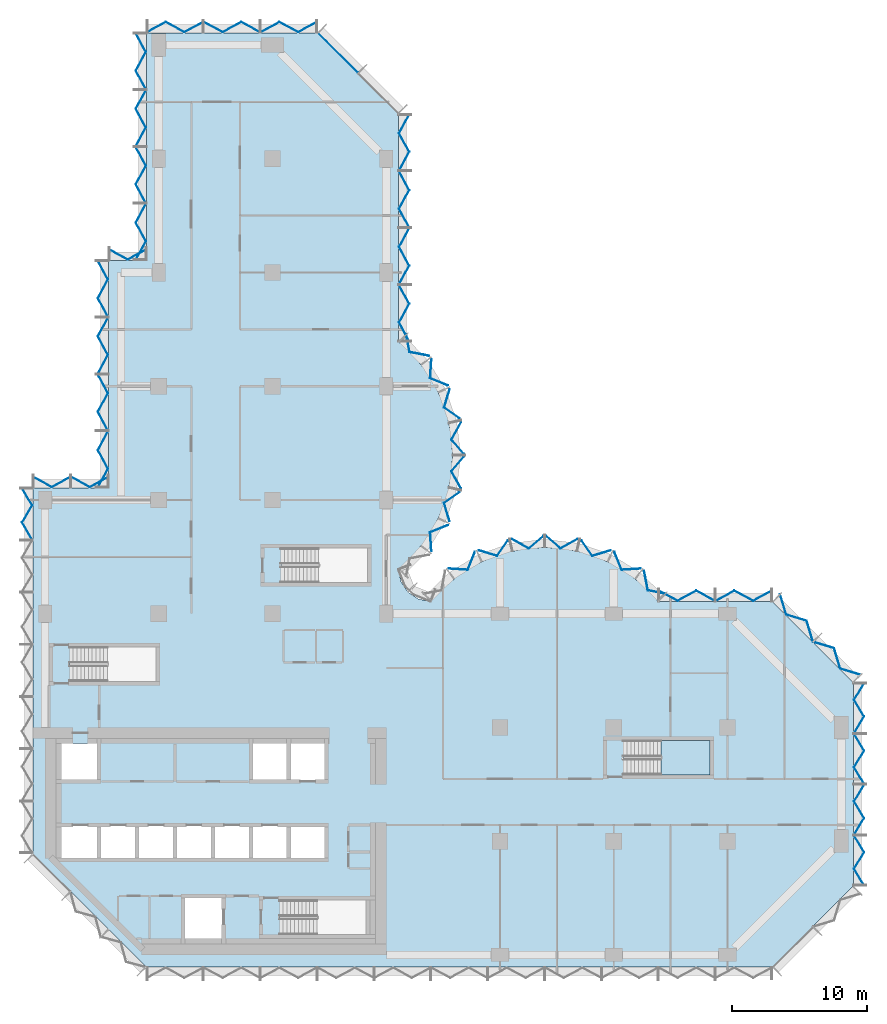
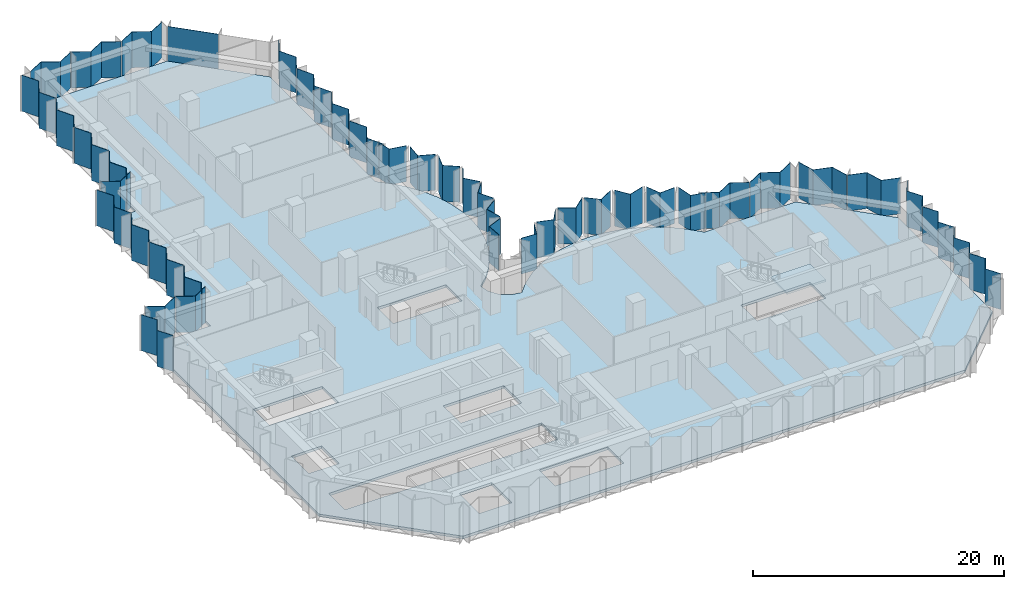
# One storey, part 4 of 11: 42 plates, 2 slabs, 14 elements without a shape of their own.
"""IFC4 building model written with IfcOpenShell, lengths in metres."""

from ifc_helpers import new_model, si_unit, direction, frame, origin, place, context, subcontext, project, spatial, polyline, outline, extrude, material, layer, layer_set, type_object, element, aggregate, save


model = new_model("IFC4")

# Units and contexts
model_context = context("Model", 3, precision=1e-05, world=origin(), true_north=direction((0.0, 1.0)))
body_context = subcontext(model_context, "Body", "Model", "MODEL_VIEW")
ifc_project = project(units=[si_unit("LENGTHUNIT", "METRE"), si_unit("AREAUNIT", "SQUARE_METRE"), si_unit("VOLUMEUNIT", "CUBIC_METRE"), si_unit("PLANEANGLEUNIT", "RADIAN"), si_unit("MASSUNIT", "GRAM", prefix="KILO")], contexts=[model_context])

# Site, building, storey
site_placement = place(None, origin())
site = spatial("IfcSite", under=ifc_project, at=site_placement, CompositionType="ELEMENT")
building_placement = place(site_placement, origin())
building = spatial("IfcBuilding", under=site, at=building_placement, Name="Brevane Broadcast Tower", CompositionType="ELEMENT")
storey_placement = place(building_placement, frame((0.0, 0.0, 145.699951171875)))
storey = spatial("IfcBuildingStorey", under=building, at=storey_placement, Name="L36", CompositionType="ELEMENT", Elevation=145.699951171875)

# Curtain wall, plates
ifc_material_1 = material(Name="Aluminium 6063-T6 bronze anodised", Category="aluminium")
curtain_wall_type = type_object("IfcCurtainWallType", Name="CW-1 curtain wall", PredefinedType="NOTDEFINED", material=ifc_material_1)
curtain_wall_1_placement = place(storey_placement, origin())
curtain_wall_1 = element("IfcCurtainWall", 1, at=curtain_wall_1_placement, inside=storey, type_object=curtain_wall_type, Name="CW-1 typical tilted unit L36 east end", PredefinedType="NOTDEFINED")
ifc_material_2 = material(Name="Laminated glass bronze-tinted", Category="glass")
ifc_layer_1 = layer(ifc_material_2, 0.0400390625)
ifc_layer_set_1 = layer_set([ifc_layer_1], Name="CW tall glass panel 40")
plate_type = type_object("IfcPlateType", Name="CW tall glass panel 40", PredefinedType="CURTAIN_PANEL", material=ifc_layer_set_1)
plate_1_placement = place(storey_placement, frame((0.0, 0.0, -0.14990234375)))
plate_1 = element("IfcPlate", 2, at=plate_1_placement, type_object=plate_type, Name="CW-1 glass panel", PredefinedType="CURTAIN_PANEL", context=body_context, shape_type="SweptSolid", body=[
    extrude(outline(polyline([(60.470947265625, 5.135009765625), (60.517822265625, 5.135009765625), (59.7734375, 6.36181640625), (60.517822265625, 7.58837890625), (59.7734375, 8.81494140625), (59.7265625, 8.81494140625), (60.470947265625, 7.58837890625), (59.7265625, 6.36181640625), (60.470947265625, 5.135009765625)])), origin(), (0.0, 0.0, 1.0), 3.5),
])
plate_2_placement = place(storey_placement, frame((0.0, 0.0, -0.14990234375)))
plate_2 = element("IfcPlate", 3, at=plate_2_placement, type_object=plate_type, Name="CW-1 glass panel", PredefinedType="CURTAIN_PANEL", context=body_context, shape_type="SweptSolid", body=[
    extrude(outline(polyline([(59.7265625, 8.885009765625), (59.7734375, 8.885009765625), (60.517822265625, 10.11181640625), (59.7734375, 11.33837890625), (60.517822265625, 12.56494140625), (60.470947265625, 12.56494140625), (59.7265625, 11.33837890625), (60.470947265625, 10.11181640625), (59.7265625, 8.885009765625)])), origin(), (0.0, 0.0, 1.0), 3.5),
])
plate_3_placement = place(storey_placement, frame((0.0, 0.0, -0.14990234375)))
plate_3 = element("IfcPlate", 4, at=plate_3_placement, type_object=plate_type, Name="CW-1 glass panel", PredefinedType="CURTAIN_PANEL", context=body_context, shape_type="SweptSolid", body=[
    extrude(outline(polyline([(60.470947265625, 12.635009765625), (60.517822265625, 12.635009765625), (59.7734375, 13.86181640625), (60.517822265625, 15.08837890625), (59.7734375, 16.31494140625), (59.7265625, 16.31494140625), (60.470947265625, 15.08837890625), (59.7265625, 13.86181640625), (60.470947265625, 12.635009765625)])), origin(), (0.0, 0.0, 1.0), 3.5),
])
plate_4_placement = place(storey_placement, frame((0.0, 0.0, -0.14990234375)))
plate_4 = element("IfcPlate", 5, at=plate_4_placement, type_object=plate_type, Name="CW-1 glass panel", PredefinedType="CURTAIN_PANEL", context=body_context, shape_type="SweptSolid", body=[
    extrude(outline(polyline([(59.7265625, 16.385009765625), (59.7734375, 16.385009765625), (60.517822265625, 17.61181640625), (59.7734375, 18.83837890625), (60.517822265625, 20.06494140625), (60.470947265625, 20.06494140625), (59.7265625, 18.83837890625), (60.470947265625, 17.61181640625), (59.7265625, 16.385009765625)])), origin(), (0.0, 0.0, 1.0), 3.5),
])
aggregate(curtain_wall_1, [plate_1, plate_2, plate_3, plate_4])

curtain_wall_2_placement = place(storey_placement, origin())
curtain_wall_2 = element("IfcCurtainWall", 6, at=curtain_wall_2_placement, inside=storey, type_object=curtain_wall_type, Name="CW-1 typical tilted unit L36 north-east chamfer", PredefinedType="NOTDEFINED")
plate_5_placement = place(storey_placement, frame((0.0, 0.0, -0.14990234375)))
plate_5 = element("IfcPlate", 7, at=plate_5_placement, type_object=plate_type, Name="CW-1 glass panel", PredefinedType="CURTAIN_PANEL", context=body_context, shape_type="SweptSolid", body=[
    extrude(outline(polyline([(60.220947265625, 20.67041015625), (60.2529296875, 20.702392578125), (58.7431640625, 21.15966796875), (58.285888671875, 22.66943359375), (56.776123046875, 23.126708984375), (56.744140625, 23.094482421875), (58.25390625, 22.637451171875), (58.711181640625, 21.127685546875), (60.220947265625, 20.67041015625)])), origin(), (0.0, 0.0, 1.0), 3.5),
])
plate_6_placement = place(storey_placement, frame((0.0, 0.0, -0.14990234375)))
plate_6 = element("IfcPlate", 8, at=plate_6_placement, type_object=plate_type, Name="CW-1 glass panel", PredefinedType="CURTAIN_PANEL", context=body_context, shape_type="SweptSolid", body=[
    extrude(outline(polyline([(56.694580078125, 23.14404296875), (56.7265625, 23.176025390625), (56.26953125, 24.68603515625), (54.759521484375, 25.14306640625), (54.302490234375, 26.653076171875), (54.2705078125, 26.620849609375), (54.7275390625, 25.111083984375), (56.2373046875, 24.65380859375), (56.694580078125, 23.14404296875)])), origin(), (0.0, 0.0, 1.0), 3.5),
])
aggregate(curtain_wall_2, [plate_5, plate_6])

curtain_wall_3_placement = place(storey_placement, origin())
curtain_wall_3 = element("IfcCurtainWall", 9, at=curtain_wall_3_placement, inside=storey, type_object=curtain_wall_type, Name="CW-1 typical tilted unit L36 east arm north face", PredefinedType="NOTDEFINED")
plate_7_placement = place(storey_placement, frame((0.0, 0.0, -0.14990234375)))
plate_7 = element("IfcPlate", 10, at=plate_7_placement, type_object=plate_type, Name="CW-1 glass panel", PredefinedType="CURTAIN_PANEL", context=body_context, shape_type="SweptSolid", body=[
    extrude(outline(polyline([(53.6650390625, 26.87158203125), (53.6650390625, 26.9169921875), (52.288330078125, 26.172607421875), (50.91162109375, 26.9169921875), (49.534912109375, 26.172607421875), (49.534912109375, 26.127197265625), (50.91162109375, 26.87158203125), (52.288330078125, 26.127197265625), (53.6650390625, 26.87158203125)])), origin(), (0.0, 0.0, 1.0), 3.5),
])
plate_8_placement = place(storey_placement, frame((0.0, 0.0, -0.14990234375)))
plate_8 = element("IfcPlate", 11, at=plate_8_placement, type_object=plate_type, Name="CW-1 glass panel", PredefinedType="CURTAIN_PANEL", context=body_context, shape_type="SweptSolid", body=[
    extrude(outline(polyline([(49.465087890625, 26.127197265625), (49.465087890625, 26.172607421875), (48.08837890625, 26.9169921875), (46.711669921875, 26.172607421875), (45.3349609375, 26.9169921875), (45.3349609375, 26.87158203125), (46.711669921875, 26.127197265625), (48.08837890625, 26.87158203125), (49.465087890625, 26.127197265625)])), origin(), (0.0, 0.0, 1.0), 3.5),
])
aggregate(curtain_wall_3, [plate_7, plate_8])

curtain_wall_4_placement = place(storey_placement, origin())
curtain_wall_4 = element("IfcCurtainWall", 12, at=curtain_wall_4_placement, inside=storey, type_object=curtain_wall_type, Name="CW-1 typical tilted unit L36 east bow", PredefinedType="NOTDEFINED")
plate_9_placement = place(storey_placement, frame((0.0, 0.0, -0.14990234375)))
plate_9 = element("IfcPlate", 13, at=plate_9_placement, type_object=plate_type, Name="CW-1 glass panel", PredefinedType="CURTAIN_PANEL", context=body_context, shape_type="SweptSolid", body=[
    extrude(outline(polyline([(45.79150390625, 26.656005859375), (45.82470703125, 26.690185546875), (44.539306640625, 26.9423828125), (44.263916015625, 28.3857421875), (44.231201171875, 28.34375), (44.5048828125, 26.908203125), (45.79150390625, 26.656005859375)])), origin(), (0.0, 0.0, 1.0), 3.5),
])
plate_10_placement = place(storey_placement, frame((0.0, 0.0, -0.14990234375)))
plate_10 = element("IfcPlate", 14, at=plate_10_placement, type_object=plate_type, Name="CW-1 glass panel", PredefinedType="CURTAIN_PANEL", context=body_context, shape_type="SweptSolid", body=[
    extrude(outline(polyline([(43.950439453125, 28.5087890625), (43.9833984375, 28.551025390625), (42.601318359375, 28.462890625), (42.0703125, 29.76171875), (42.046875, 29.712890625), (42.5751953125, 28.42138671875), (43.950439453125, 28.5087890625)])), origin(), (0.0, 0.0, 1.0), 3.5),
])
plate_11_placement = place(storey_placement, frame((0.0, 0.0, -0.14990234375)))
plate_11 = element("IfcPlate", 15, at=plate_11_placement, type_object=plate_type, Name="CW-1 glass panel", PredefinedType="CURTAIN_PANEL", context=body_context, shape_type="SweptSolid", body=[
    extrude(outline(polyline([(41.75537109375, 29.851806640625), (41.778564453125, 29.900634765625), (40.435546875, 29.494384765625), (39.6328125, 30.622802734375), (39.62060546875, 30.57080078125), (40.41943359375, 29.44775390625), (41.75537109375, 29.851806640625)])), origin(), (0.0, 0.0, 1.0), 3.5),
])
plate_12_placement = place(storey_placement, frame((0.0, 0.0, -0.14990234375)))
plate_12 = element("IfcPlate", 16, at=plate_12_placement, type_object=plate_type, Name="CW-1 glass panel", PredefinedType="CURTAIN_PANEL", context=body_context, shape_type="SweptSolid", body=[
    extrude(outline(polyline([(39.31640625, 30.68798828125), (39.328369140625, 30.740478515625), (38.069580078125, 30.036376953125), (37.008056640625, 30.94921875), (37.008056640625, 30.896484375), (38.064697265625, 29.98779296875), (39.31640625, 30.68798828125)])), origin(), (0.0, 0.0, 1.0), 3.5),
])
plate_13_placement = place(storey_placement, frame((0.0, 0.0, -0.14990234375)))
plate_13 = element("IfcPlate", 17, at=plate_13_placement, type_object=plate_type, Name="CW-1 glass panel", PredefinedType="CURTAIN_PANEL", context=body_context, shape_type="SweptSolid", body=[
    extrude(outline(polyline([(36.7919921875, 30.896484375), (36.7919921875, 30.94921875), (35.730224609375, 30.036376953125), (34.4716796875, 30.740478515625), (34.483642578125, 30.68798828125), (35.735107421875, 29.98779296875), (36.7919921875, 30.896484375)])), origin(), (0.0, 0.0, 1.0), 3.5),
])
plate_14_placement = place(storey_placement, frame((0.0, 0.0, -0.14990234375)))
plate_14 = element("IfcPlate", 18, at=plate_14_placement, type_object=plate_type, Name="CW-1 glass panel", PredefinedType="CURTAIN_PANEL", context=body_context, shape_type="SweptSolid", body=[
    extrude(outline(polyline([(34.17919921875, 30.57080078125), (34.167236328125, 30.622802734375), (33.364501953125, 29.494384765625), (32.021484375, 29.900634765625), (32.044677734375, 29.851806640625), (33.380615234375, 29.44775390625), (34.17919921875, 30.57080078125)])), origin(), (0.0, 0.0, 1.0), 3.5),
])
plate_15_placement = place(storey_placement, frame((0.0, 0.0, -0.14990234375)))
plate_15 = element("IfcPlate", 19, at=plate_15_placement, type_object=plate_type, Name="CW-1 glass panel", PredefinedType="CURTAIN_PANEL", context=body_context, shape_type="SweptSolid", body=[
    extrude(outline(polyline([(31.753173828125, 29.712890625), (31.729736328125, 29.76171875), (31.198486328125, 28.462890625), (29.816650390625, 28.551025390625), (29.849609375, 28.5087890625), (31.224609375, 28.42138671875), (31.753173828125, 29.712890625)])), origin(), (0.0, 0.0, 1.0), 3.5),
])
aggregate(curtain_wall_4, [plate_9, plate_10, plate_11, plate_12, plate_13, plate_14, plate_15])

curtain_wall_5_placement = place(storey_placement, origin())
curtain_wall_5 = element("IfcCurtainWall", 20, at=curtain_wall_5_placement, inside=storey, type_object=curtain_wall_type, Name="CW-1 typical tilted unit L36 north bow", PredefinedType="NOTDEFINED")
plate_16_placement = place(storey_placement, frame((0.0, 0.0, -0.14990234375)))
plate_16 = element("IfcPlate", 21, at=plate_16_placement, type_object=plate_type, Name="CW-1 glass panel", PredefinedType="CURTAIN_PANEL", context=body_context, shape_type="SweptSolid", body=[
    extrude(outline(polyline([(28.5087890625, 29.849609375), (28.551025390625, 29.816650390625), (28.462890625, 31.198486328125), (29.76171875, 31.729736328125), (29.712890625, 31.753173828125), (28.42138671875, 31.224609375), (28.5087890625, 29.849609375)])), origin(), (0.0, 0.0, 1.0), 3.5),
])
plate_17_placement = place(storey_placement, frame((0.0, 0.0, -0.14990234375)))
plate_17 = element("IfcPlate", 22, at=plate_17_placement, type_object=plate_type, Name="CW-1 glass panel", PredefinedType="CURTAIN_PANEL", context=body_context, shape_type="SweptSolid", body=[
    extrude(outline(polyline([(29.851806640625, 32.044677734375), (29.900634765625, 32.021484375), (29.494384765625, 33.364501953125), (30.622802734375, 34.167236328125), (30.57080078125, 34.17919921875), (29.44775390625, 33.380615234375), (29.851806640625, 32.044677734375)])), origin(), (0.0, 0.0, 1.0), 3.5),
])
plate_18_placement = place(storey_placement, frame((0.0, 0.0, -0.14990234375)))
plate_18 = element("IfcPlate", 23, at=plate_18_placement, type_object=plate_type, Name="CW-1 glass panel", PredefinedType="CURTAIN_PANEL", context=body_context, shape_type="SweptSolid", body=[
    extrude(outline(polyline([(30.68798828125, 34.483642578125), (30.740478515625, 34.4716796875), (30.036376953125, 35.730224609375), (30.94921875, 36.7919921875), (30.896484375, 36.7919921875), (29.98779296875, 35.735107421875), (30.68798828125, 34.483642578125)])), origin(), (0.0, 0.0, 1.0), 3.5),
])
plate_19_placement = place(storey_placement, frame((0.0, 0.0, -0.14990234375)))
plate_19 = element("IfcPlate", 24, at=plate_19_placement, type_object=plate_type, Name="CW-1 glass panel", PredefinedType="CURTAIN_PANEL", context=body_context, shape_type="SweptSolid", body=[
    extrude(outline(polyline([(30.896484375, 37.008056640625), (30.94921875, 37.008056640625), (30.036376953125, 38.069580078125), (30.740478515625, 39.328369140625), (30.68798828125, 39.31640625), (29.98779296875, 38.064697265625), (30.896484375, 37.008056640625)])), origin(), (0.0, 0.0, 1.0), 3.5),
])
plate_20_placement = place(storey_placement, frame((0.0, 0.0, -0.14990234375)))
plate_20 = element("IfcPlate", 25, at=plate_20_placement, type_object=plate_type, Name="CW-1 glass panel", PredefinedType="CURTAIN_PANEL", context=body_context, shape_type="SweptSolid", body=[
    extrude(outline(polyline([(30.57080078125, 39.62060546875), (30.622802734375, 39.6328125), (29.494384765625, 40.435546875), (29.900634765625, 41.778564453125), (29.851806640625, 41.75537109375), (29.44775390625, 40.41943359375), (30.57080078125, 39.62060546875)])), origin(), (0.0, 0.0, 1.0), 3.5),
])
plate_21_placement = place(storey_placement, frame((0.0, 0.0, -0.14990234375)))
plate_21 = element("IfcPlate", 26, at=plate_21_placement, type_object=plate_type, Name="CW-1 glass panel", PredefinedType="CURTAIN_PANEL", context=body_context, shape_type="SweptSolid", body=[
    extrude(outline(polyline([(29.712890625, 42.046875), (29.76171875, 42.0703125), (28.462890625, 42.601318359375), (28.551025390625, 43.9833984375), (28.5087890625, 43.950439453125), (28.42138671875, 42.5751953125), (29.712890625, 42.046875)])), origin(), (0.0, 0.0, 1.0), 3.5),
])
plate_22_placement = place(storey_placement, frame((0.0, 0.0, -0.14990234375)))
plate_22 = element("IfcPlate", 27, at=plate_22_placement, type_object=plate_type, Name="CW-1 glass panel", PredefinedType="CURTAIN_PANEL", context=body_context, shape_type="SweptSolid", body=[
    extrude(outline(polyline([(28.34375, 44.231201171875), (28.3857421875, 44.263916015625), (26.9423828125, 44.539306640625), (26.690185546875, 45.82470703125), (26.656005859375, 45.79150390625), (26.908203125, 44.5048828125), (28.34375, 44.231201171875)])), origin(), (0.0, 0.0, 1.0), 3.5),
])
aggregate(curtain_wall_5, [plate_16, plate_17, plate_18, plate_19, plate_20, plate_21, plate_22])

curtain_wall_6_placement = place(storey_placement, origin())
curtain_wall_6 = element("IfcCurtainWall", 28, at=curtain_wall_6_placement, inside=storey, type_object=curtain_wall_type, Name="CW-1 typical tilted unit L36 north arm east face", PredefinedType="NOTDEFINED")
plate_23_placement = place(storey_placement, frame((0.0, 0.0, -0.14990234375)))
plate_23 = element("IfcPlate", 29, at=plate_23_placement, type_object=plate_type, Name="CW-1 glass panel", PredefinedType="CURTAIN_PANEL", context=body_context, shape_type="SweptSolid", body=[
    extrude(outline(polyline([(26.87158203125, 45.3349609375), (26.9169921875, 45.3349609375), (26.172607421875, 46.711669921875), (26.9169921875, 48.08837890625), (26.172607421875, 49.465087890625), (26.127197265625, 49.465087890625), (26.87158203125, 48.08837890625), (26.127197265625, 46.711669921875), (26.87158203125, 45.3349609375)])), origin(), (0.0, 0.0, 1.0), 3.5),
])
plate_24_placement = place(storey_placement, frame((0.0, 0.0, -0.14990234375)))
plate_24 = element("IfcPlate", 30, at=plate_24_placement, type_object=plate_type, Name="CW-1 glass panel", PredefinedType="CURTAIN_PANEL", context=body_context, shape_type="SweptSolid", body=[
    extrude(outline(polyline([(26.127197265625, 49.534912109375), (26.172607421875, 49.534912109375), (26.9169921875, 50.91162109375), (26.172607421875, 52.288330078125), (26.9169921875, 53.6650390625), (26.87158203125, 53.6650390625), (26.127197265625, 52.288330078125), (26.87158203125, 50.91162109375), (26.127197265625, 49.534912109375)])), origin(), (0.0, 0.0, 1.0), 3.5),
])
plate_25_placement = place(storey_placement, frame((0.0, 0.0, -0.14990234375)))
plate_25 = element("IfcPlate", 31, at=plate_25_placement, type_object=plate_type, Name="CW-1 glass panel", PredefinedType="CURTAIN_PANEL", context=body_context, shape_type="SweptSolid", body=[
    extrude(outline(polyline([(26.87158203125, 53.735107421875), (26.9169921875, 53.735107421875), (26.172607421875, 55.11181640625), (26.9169921875, 56.48828125), (26.172607421875, 57.864990234375), (26.127197265625, 57.864990234375), (26.87158203125, 56.48828125), (26.127197265625, 55.11181640625), (26.87158203125, 53.735107421875)])), origin(), (0.0, 0.0, 1.0), 3.5),
])
plate_26_placement = place(storey_placement, frame((0.0, 0.0, -0.14990234375)))
plate_26 = element("IfcPlate", 32, at=plate_26_placement, type_object=plate_type, Name="CW-1 glass panel", PredefinedType="CURTAIN_PANEL", context=body_context, shape_type="SweptSolid", body=[
    extrude(outline(polyline([(26.127197265625, 57.93505859375), (26.172607421875, 57.93505859375), (26.9169921875, 59.311767578125), (26.172607421875, 60.688232421875), (26.9169921875, 62.06494140625), (26.87158203125, 62.06494140625), (26.127197265625, 60.688232421875), (26.87158203125, 59.311767578125), (26.127197265625, 57.93505859375)])), origin(), (0.0, 0.0, 1.0), 3.5),
])
aggregate(curtain_wall_6, [plate_23, plate_24, plate_25, plate_26])

# Curtain wall, plate
curtain_wall_7_placement = place(storey_placement, origin())
curtain_wall_7 = element("IfcCurtainWall", 33, at=curtain_wall_7_placement, inside=storey, type_object=curtain_wall_type, Name="CW-1 typical tilted unit L36 north arm north-east chamfer", PredefinedType="NOTDEFINED")
plate_27_placement = place(storey_placement, frame((0.0, 0.0, -0.14990234375)))
plate_27 = element("IfcPlate", 34, at=plate_27_placement, type_object=plate_type, Name="CW-1 glass panel", PredefinedType="CURTAIN_PANEL", context=body_context, shape_type="SweptSolid", body=[
    extrude(outline(polyline([(23.096435546875, 65.14599609375), (20.14599609375, 68.096435546875), (20.17431640625, 68.124755859375), (23.124755859375, 65.17431640625), (23.096435546875, 65.14599609375)])), origin(), (0.0, 0.0, 1.0), 3.5),
])
aggregate(curtain_wall_7, [plate_27])

# Curtain wall, plates
curtain_wall_8_placement = place(storey_placement, origin())
curtain_wall_8 = element("IfcCurtainWall", 35, at=curtain_wall_8_placement, inside=storey, type_object=curtain_wall_type, Name="CW-1 typical tilted unit L36 north end", PredefinedType="NOTDEFINED")
plate_28_placement = place(storey_placement, frame((0.0, 0.0, -0.14990234375)))
plate_28 = element("IfcPlate", 36, at=plate_28_placement, type_object=plate_type, Name="CW-1 glass panel", PredefinedType="CURTAIN_PANEL", context=body_context, shape_type="SweptSolid", body=[
    extrude(outline(polyline([(20.06494140625, 68.87158203125), (20.06494140625, 68.9169921875), (18.688232421875, 68.172607421875), (17.311767578125, 68.9169921875), (15.93505859375, 68.172607421875), (15.93505859375, 68.127197265625), (17.311767578125, 68.87158203125), (18.688232421875, 68.127197265625), (20.06494140625, 68.87158203125)])), origin(), (0.0, 0.0, 1.0), 3.5),
])
plate_29_placement = place(storey_placement, frame((0.0, 0.0, -0.14990234375)))
plate_29 = element("IfcPlate", 37, at=plate_29_placement, type_object=plate_type, Name="CW-1 glass panel", PredefinedType="CURTAIN_PANEL", context=body_context, shape_type="SweptSolid", body=[
    extrude(outline(polyline([(15.864990234375, 68.127197265625), (15.864990234375, 68.172607421875), (14.48828125, 68.9169921875), (13.11181640625, 68.172607421875), (11.735107421875, 68.9169921875), (11.735107421875, 68.87158203125), (13.11181640625, 68.127197265625), (14.48828125, 68.87158203125), (15.864990234375, 68.127197265625)])), origin(), (0.0, 0.0, 1.0), 3.5),
])
plate_30_placement = place(storey_placement, frame((0.0, 0.0, -0.14990234375)))
plate_30 = element("IfcPlate", 38, at=plate_30_placement, type_object=plate_type, Name="CW-1 glass panel", PredefinedType="CURTAIN_PANEL", context=body_context, shape_type="SweptSolid", body=[
    extrude(outline(polyline([(11.6650390625, 68.87158203125), (11.6650390625, 68.9169921875), (10.288330078125, 68.172607421875), (8.91162109375, 68.9169921875), (7.534912109375, 68.172607421875), (7.534912109375, 68.127197265625), (8.91162109375, 68.87158203125), (10.288330078125, 68.127197265625), (11.6650390625, 68.87158203125)])), origin(), (0.0, 0.0, 1.0), 3.5),
])
aggregate(curtain_wall_8, [plate_28, plate_29, plate_30])

curtain_wall_9_placement = place(storey_placement, origin())
curtain_wall_9 = element("IfcCurtainWall", 39, at=curtain_wall_9_placement, inside=storey, type_object=curtain_wall_type, Name="CW-1 typical tilted unit L36 north wing west face above the set-back", PredefinedType="NOTDEFINED")
plate_31_placement = place(storey_placement, frame((0.0, 0.0, -0.14990234375)))
plate_31 = element("IfcPlate", 40, at=plate_31_placement, type_object=plate_type, Name="CW-1 glass panel", PredefinedType="CURTAIN_PANEL", context=body_context, shape_type="SweptSolid", body=[
    extrude(outline(polyline([(6.728271484375, 68.06494140625), (6.682861328125, 68.06494140625), (7.42724609375, 66.688232421875), (6.682861328125, 65.311767578125), (7.42724609375, 63.93505859375), (7.47265625, 63.93505859375), (6.728271484375, 65.311767578125), (7.47265625, 66.688232421875), (6.728271484375, 68.06494140625)])), origin(), (0.0, 0.0, 1.0), 3.5),
])
plate_32_placement = place(storey_placement, frame((0.0, 0.0, -0.14990234375)))
plate_32 = element("IfcPlate", 41, at=plate_32_placement, type_object=plate_type, Name="CW-1 glass panel", PredefinedType="CURTAIN_PANEL", context=body_context, shape_type="SweptSolid", body=[
    extrude(outline(polyline([(7.47265625, 63.864990234375), (7.42724609375, 63.864990234375), (6.682861328125, 62.48828125), (7.42724609375, 61.11181640625), (6.682861328125, 59.735107421875), (6.728271484375, 59.735107421875), (7.47265625, 61.11181640625), (6.728271484375, 62.48828125), (7.47265625, 63.864990234375)])), origin(), (0.0, 0.0, 1.0), 3.5),
])
plate_33_placement = place(storey_placement, frame((0.0, 0.0, -0.14990234375)))
plate_33 = element("IfcPlate", 42, at=plate_33_placement, type_object=plate_type, Name="CW-1 glass panel", PredefinedType="CURTAIN_PANEL", context=body_context, shape_type="SweptSolid", body=[
    extrude(outline(polyline([(6.728271484375, 59.6650390625), (6.682861328125, 59.6650390625), (7.42724609375, 58.288330078125), (6.682861328125, 56.91162109375), (7.42724609375, 55.534912109375), (7.47265625, 55.534912109375), (6.728271484375, 56.91162109375), (7.47265625, 58.288330078125), (6.728271484375, 59.6650390625)])), origin(), (0.0, 0.0, 1.0), 3.5),
])
plate_34_placement = place(storey_placement, frame((0.0, 0.0, -0.14990234375)))
plate_34 = element("IfcPlate", 43, at=plate_34_placement, type_object=plate_type, Name="CW-1 glass panel", PredefinedType="CURTAIN_PANEL", context=body_context, shape_type="SweptSolid", body=[
    extrude(outline(polyline([(7.47265625, 55.465087890625), (7.42724609375, 55.465087890625), (6.682861328125, 54.08837890625), (7.42724609375, 52.711669921875), (6.682861328125, 51.3349609375), (6.728271484375, 51.3349609375), (7.47265625, 52.711669921875), (6.728271484375, 54.08837890625), (7.47265625, 55.465087890625)])), origin(), (0.0, 0.0, 1.0), 3.5),
])
aggregate(curtain_wall_9, [plate_31, plate_32, plate_33, plate_34])

# Curtain wall, plate
curtain_wall_10_placement = place(storey_placement, origin())
curtain_wall_10 = element("IfcCurtainWall", 44, at=curtain_wall_10_placement, inside=storey, type_object=curtain_wall_type, Name="CW-1 typical tilted unit L36 north wing west return", PredefinedType="NOTDEFINED")
plate_35_placement = place(storey_placement, frame((0.0, 0.0, -0.14990234375)))
plate_35 = element("IfcPlate", 45, at=plate_35_placement, type_object=plate_type, Name="CW-1 glass panel", PredefinedType="CURTAIN_PANEL", context=body_context, shape_type="SweptSolid", body=[
    extrude(outline(polyline([(7.465087890625, 52.071533203125), (7.465087890625, 52.1171875), (6.10009765625, 51.372802734375), (4.735107421875, 52.1171875), (4.735107421875, 52.071533203125), (6.10009765625, 51.3271484375), (7.465087890625, 52.071533203125)])), origin(), (0.0, 0.0, 1.0), 3.5),
])
aggregate(curtain_wall_10, [plate_35])

# Curtain wall, plates
curtain_wall_11_placement = place(storey_placement, origin())
curtain_wall_11 = element("IfcCurtainWall", 46, at=curtain_wall_11_placement, inside=storey, type_object=curtain_wall_type, Name="CW-1 typical tilted unit L36 north wing west face, lower block", PredefinedType="NOTDEFINED")
plate_36_placement = place(storey_placement, frame((0.0, 0.0, -0.14990234375)))
plate_36 = element("IfcPlate", 47, at=plate_36_placement, type_object=plate_type, Name="CW-1 glass panel", PredefinedType="CURTAIN_PANEL", context=body_context, shape_type="SweptSolid", body=[
    extrude(outline(polyline([(3.92822265625, 51.264892578125), (3.8828125, 51.264892578125), (4.627197265625, 49.88818359375), (3.8828125, 48.51171875), (4.627197265625, 47.135009765625), (4.672607421875, 47.135009765625), (3.92822265625, 48.51171875), (4.672607421875, 49.88818359375), (3.92822265625, 51.264892578125)])), origin(), (0.0, 0.0, 1.0), 3.5),
])
plate_37_placement = place(storey_placement, frame((0.0, 0.0, -0.14990234375)))
plate_37 = element("IfcPlate", 48, at=plate_37_placement, type_object=plate_type, Name="CW-1 glass panel", PredefinedType="CURTAIN_PANEL", context=body_context, shape_type="SweptSolid", body=[
    extrude(outline(polyline([(4.672607421875, 47.06494140625), (4.627197265625, 47.06494140625), (3.8828125, 45.688232421875), (4.627197265625, 44.311767578125), (3.8828125, 42.93505859375), (3.92822265625, 42.93505859375), (4.672607421875, 44.311767578125), (3.92822265625, 45.688232421875), (4.672607421875, 47.06494140625)])), origin(), (0.0, 0.0, 1.0), 3.5),
])
plate_38_placement = place(storey_placement, frame((0.0, 0.0, -0.14990234375)))
plate_38 = element("IfcPlate", 49, at=plate_38_placement, type_object=plate_type, Name="CW-1 glass panel", PredefinedType="CURTAIN_PANEL", context=body_context, shape_type="SweptSolid", body=[
    extrude(outline(polyline([(3.92822265625, 42.864990234375), (3.8828125, 42.864990234375), (4.627197265625, 41.48828125), (3.8828125, 40.11181640625), (4.627197265625, 38.735107421875), (4.672607421875, 38.735107421875), (3.92822265625, 40.11181640625), (4.672607421875, 41.48828125), (3.92822265625, 42.864990234375)])), origin(), (0.0, 0.0, 1.0), 3.5),
])
plate_39_placement = place(storey_placement, frame((0.0, 0.0, -0.14990234375)))
plate_39 = element("IfcPlate", 50, at=plate_39_placement, type_object=plate_type, Name="CW-1 glass panel", PredefinedType="CURTAIN_PANEL", context=body_context, shape_type="SweptSolid", body=[
    extrude(outline(polyline([(4.672607421875, 38.6650390625), (4.627197265625, 38.6650390625), (3.8828125, 37.288330078125), (4.627197265625, 35.91162109375), (3.8828125, 34.534912109375), (3.92822265625, 34.534912109375), (4.672607421875, 35.91162109375), (3.92822265625, 37.288330078125), (4.672607421875, 38.6650390625)])), origin(), (0.0, 0.0, 1.0), 3.5),
])
aggregate(curtain_wall_11, [plate_36, plate_37, plate_38, plate_39])

curtain_wall_12_placement = place(storey_placement, origin())
curtain_wall_12 = element("IfcCurtainWall", 51, at=curtain_wall_12_placement, inside=storey, type_object=curtain_wall_type, Name="CW-1 typical tilted unit L36 north wing west return, lower block", PredefinedType="NOTDEFINED")
plate_40_placement = place(storey_placement, frame((0.0, 0.0, -0.14990234375)))
plate_40 = element("IfcPlate", 52, at=plate_40_placement, type_object=plate_type, Name="CW-1 glass panel", PredefinedType="CURTAIN_PANEL", context=body_context, shape_type="SweptSolid", body=[
    extrude(outline(polyline([(4.6650390625, 35.271484375), (4.6650390625, 35.317138671875), (3.300048828125, 34.57275390625), (1.93505859375, 35.317138671875), (1.93505859375, 35.271484375), (3.300048828125, 34.527099609375), (4.6650390625, 35.271484375)])), origin(), (0.0, 0.0, 1.0), 3.5),
])
plate_41_placement = place(storey_placement, frame((0.0, 0.0, -0.14990234375)))
plate_41 = element("IfcPlate", 53, at=plate_41_placement, type_object=plate_type, Name="CW-1 glass panel", PredefinedType="CURTAIN_PANEL", context=body_context, shape_type="SweptSolid", body=[
    extrude(outline(polyline([(1.864990234375, 35.271484375), (1.864990234375, 35.317138671875), (0.5, 34.57275390625), (-0.864990234375, 35.317138671875), (-0.864990234375, 35.271484375), (0.5, 34.527099609375), (1.864990234375, 35.271484375)])), origin(), (0.0, 0.0, 1.0), 3.5),
])
aggregate(curtain_wall_12, [plate_40, plate_41])

# Curtain wall, plate
curtain_wall_13_placement = place(storey_placement, origin())
curtain_wall_13 = element("IfcCurtainWall", 54, at=curtain_wall_13_placement, inside=storey, type_object=curtain_wall_type, Name="CW-1 typical tilted unit L36 west face", PredefinedType="NOTDEFINED")
plate_42_placement = place(storey_placement, frame((0.0, 0.0, -0.14990234375)))
plate_42 = element("IfcPlate", 55, at=plate_42_placement, type_object=plate_type, Name="CW-1 glass panel", PredefinedType="CURTAIN_PANEL", context=body_context, shape_type="SweptSolid", body=[
    extrude(outline(polyline([(-1.671142578125, 34.465087890625), (-1.717529296875, 34.465087890625), (-0.97314453125, 33.20263671875), (-1.717529296875, 31.940185546875), (-0.97314453125, 30.677978515625), (-0.9267578125, 30.677978515625), (-1.671142578125, 31.940185546875), (-0.9267578125, 33.20263671875), (-1.671142578125, 34.465087890625)])), origin(), (0.0, 0.0, 1.0), 3.5),
])
aggregate(curtain_wall_13, [plate_42])

# Stair, slab
ifc_material_3 = material(Name="Concrete C50/60", Category="concrete")
stair_type = type_object("IfcStairType", Name="Exit stair 22 risers", PredefinedType="HALF_TURN_STAIR", material=ifc_material_3)
stair_placement = place(storey_placement, origin())
stair = element("IfcStair", 56, at=stair_placement, inside=storey, type_object=stair_type, Name="L36 Exit stair ST-4", PredefinedType="HALF_TURN_STAIR")
ifc_layer_2 = layer(ifc_material_3, 0.199951171875)
ifc_layer_set_2 = layer_set([ifc_layer_2], Name="Exit stair landing")
slab_type_1 = type_object("IfcSlabType", Name="Exit stair landing", PredefinedType="LANDING", material=ifc_layer_set_2)
slab_1_placement = place(storey_placement, frame((0.0, 0.0, 1.60009765625)))
slab_1 = element("IfcSlab", 57, at=slab_1_placement, type_object=slab_type_1, Name="ST-4 landing 1", PredefinedType="LANDING", context=body_context, shape_type="SweptSolid", body=[
    extrude(outline(polyline([(45.5, 13.300048828125), (49.10009765625, 13.300048828125), (49.10009765625, 15.85009765625), (45.5, 15.85009765625), (45.5, 13.300048828125)])), origin(), (0.0, 0.0, 1.0), 0.199951171875),
])
aggregate(stair, [slab_1])

# Slab
ifc_material_4 = material(Name="Concrete C40/50", Category="concrete")
ifc_layer_3 = layer(ifc_material_4, 0.25)
ifc_layer_set_3 = layer_set([ifc_layer_3], Name="RC FLOOR SLAB 250 C40/50")
slab_type_2 = type_object("IfcSlabType", Name="RC FLOOR SLAB 250 C40/50", PredefinedType="FLOOR", material=ifc_layer_set_3)
slab_2_placement = place(storey_placement, frame((0.0, 0.0, -0.25)))
element("IfcSlab", 58, at=slab_2_placement, inside=storey, type_object=slab_type_2, Name="SL250 L36", PredefinedType="FLOOR", context=body_context, shape_type="SweptSolid", body=[
    extrude(outline(polyline([(-0.89990234375, 7.5), (-0.89990234375, 34.5), (4.699951171875, 34.5), (4.699951171875, 51.300048828125), (7.5, 51.300048828125), (7.5, 68.10009765625), (20.10009765625, 68.10009765625), (26.10009765625, 62.10009765625), (26.10009765625, 45.300048828125), (27.10888671875, 44.36865234375), (27.99169921875, 43.317138671875), (28.734130859375, 42.162353515625), (29.324462890625, 40.922607421875), (29.7529296875, 39.618408203125), (30.012939453125, 38.270263671875), (30.10009765625, 36.89990234375), (30.012939453125, 35.52978515625), (29.7529296875, 34.181640625), (29.324462890625, 32.877197265625), (28.734130859375, 31.6376953125), (27.99169921875, 30.48291015625), (27.10888671875, 29.431396484375), (26.10009765625, 28.5), (26.28271484375, 27.58154296875), (26.802978515625, 26.802978515625), (27.58154296875, 26.28271484375), (28.5, 26.10009765625), (29.431396484375, 27.10888671875), (30.48291015625, 27.99169921875), (31.6376953125, 28.734130859375), (32.877197265625, 29.324462890625), (34.181640625, 29.7529296875), (35.52978515625, 30.012939453125), (36.89990234375, 30.10009765625), (38.270263671875, 30.012939453125), (39.618408203125, 29.7529296875), (40.922607421875, 29.324462890625), (42.162353515625, 28.734130859375), (43.317138671875, 27.99169921875), (44.36865234375, 27.10888671875), (45.300048828125, 26.10009765625), (53.699951171875, 26.10009765625), (59.699951171875, 20.10009765625), (59.699951171875, 5.10009765625), (53.699951171875, -0.89990234375), (7.5, -0.89990234375), (-0.89990234375, 7.5)]), holes=[polyline([(13.199951171875, 4.39990234375), (10.199951171875, 4.39990234375), (10.199951171875, 1.199951171875), (13.199951171875, 1.199951171875), (13.199951171875, 4.39990234375)]), polyline([(4.0, 9.60009765625), (1.199951171875, 9.60009765625), (1.199951171875, 7.0), (4.0, 7.0), (6.800048828125, 7.0), (9.60009765625, 7.0), (12.39990234375, 7.0), (15.199951171875, 7.0), (18.0, 7.0), (20.800048828125, 7.0), (20.800048828125, 9.60009765625), (18.0, 9.60009765625), (15.199951171875, 9.60009765625), (12.39990234375, 9.60009765625), (9.60009765625, 9.60009765625), (6.800048828125, 9.60009765625), (4.0, 9.60009765625)]), polyline([(4.0, 12.800048828125), (4.0, 15.60009765625), (1.199951171875, 15.60009765625), (1.199951171875, 12.800048828125), (4.0, 12.800048828125)]), polyline([(8.199951171875, 22.75), (1.860107421875, 22.75), (1.860107421875, 20.199951171875), (8.199951171875, 20.199951171875), (8.199951171875, 22.75)]), polyline([(23.699951171875, 4.050048828125), (17.360107421875, 4.050048828125), (17.360107421875, 1.5), (23.699951171875, 1.5), (23.699951171875, 4.050048828125)]), polyline([(18.0, 15.60009765625), (15.199951171875, 15.60009765625), (15.199951171875, 12.800048828125), (18.0, 12.800048828125), (20.800048828125, 12.800048828125), (20.800048828125, 15.60009765625), (18.0, 15.60009765625)]), polyline([(49.10009765625, 15.85009765625), (42.760009765625, 15.85009765625), (42.760009765625, 13.300048828125), (49.10009765625, 13.300048828125), (49.10009765625, 15.85009765625)]), polyline([(23.800048828125, 30.050048828125), (17.4599609375, 30.050048828125), (17.4599609375, 27.5), (23.800048828125, 27.5), (23.800048828125, 30.050048828125)])]), origin(), (0.0, 0.0, 1.0), 0.25),
])

save(model, "model.ifc")
